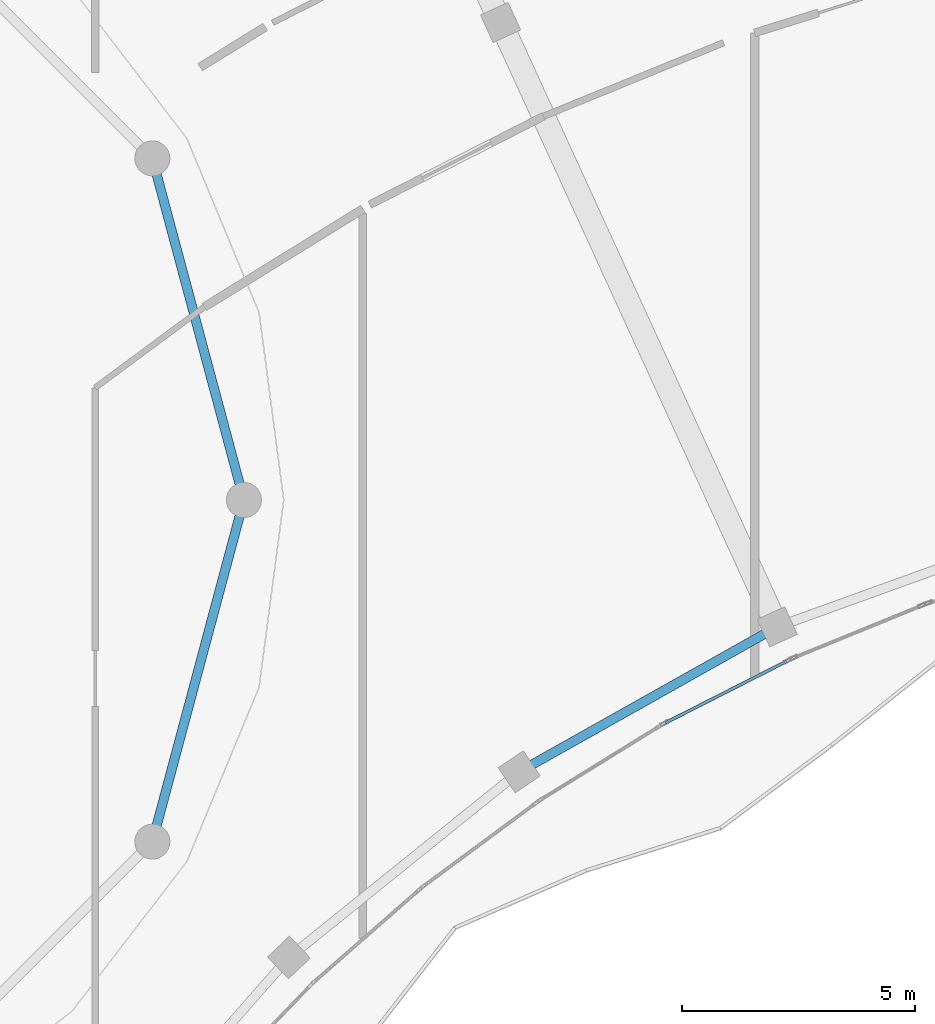
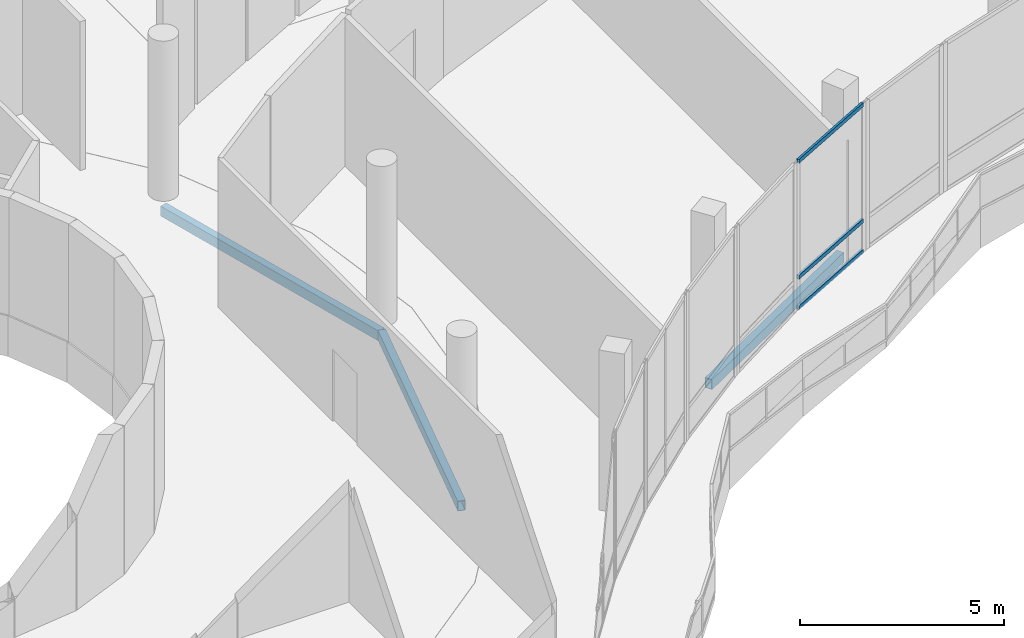
# One storey, part 53 of 155: 3 beams, 3 members, 1 element without a shape of its own.
"""IFC4 building model written with IfcOpenShell, lengths in metres."""

from ifc_helpers import new_model, si_unit, direction, frame, origin, origin_2d, place, context, subcontext, project, spatial, hollow_rectangle, extrude, material, material_profile, profile_set, type_object, element, aggregate, save


model = new_model("IFC4")

# Units and contexts
model_context = context("Model", 3, precision=1e-05, world=origin(), true_north=direction((0.0, 1.0)))
body_context = subcontext(model_context, "Body", "Model", "MODEL_VIEW")
ifc_project = project(units=[si_unit("LENGTHUNIT", "METRE"), si_unit("AREAUNIT", "SQUARE_METRE"), si_unit("VOLUMEUNIT", "CUBIC_METRE"), si_unit("PLANEANGLEUNIT", "RADIAN"), si_unit("MASSUNIT", "GRAM", prefix="KILO")], contexts=[model_context])

# Site, building, storey
site_placement = place(None, origin())
site = spatial("IfcSite", under=ifc_project, at=site_placement, CompositionType="ELEMENT")
building_placement = place(site_placement, origin())
building = spatial("IfcBuilding", under=site, at=building_placement, Name="Selatvlak General Hospital", CompositionType="ELEMENT")
storey_placement = place(building_placement, frame((0.0, 0.0, 10.199951171875)))
storey = spatial("IfcBuildingStorey", under=building, at=storey_placement, Name="L02", CompositionType="ELEMENT", Elevation=10.199951171875)

# Beams
ifc_material_1 = material(Name="Steel S355", Category="steel")
ifc_material_profile_1 = material_profile(ifc_material_1, hollow_rectangle(XDim=0.199951171875, YDim=0.300048828125, WallThickness=0.011962890625, at=origin_2d()), Name="RHS 300x200x12")
ifc_profile_set_1 = profile_set([ifc_material_profile_1], Name="Steel S355")
beam_type = type_object("IfcBeamType", Name="BM-SP3", PredefinedType="SPANDREL", material=ifc_profile_set_1)
for number, where, z_axis, x_axis, name in (
    (1, (110.68701171875, 46.675048828125, -0.5048828125), (0.25884068345, 0.965920028052, 0.0), (-0.965920028052, 0.25884068345, 0.0), "Beam BMR-L02-1098"),
    (2, (112.64990234375, 54.0, -0.5048828125), (-0.25884068345, 0.965920028052, 0.0), (-0.965920028052, -0.25884068345, 0.0), "Beam BMR-L02-1099"),
):
    element("IfcBeam", number, at=place(storey_placement, frame(where, z_axis=z_axis, x_axis=x_axis)), inside=storey, type_object=beam_type, Name=name, PredefinedType="SPANDREL", context=body_context, shape_type="SweptSolid", body=[
        extrude(hollow_rectangle(XDim=0.199951171875, YDim=0.300048828125, WallThickness=0.011962890625, at=origin_2d()), origin(), (0.0, 0.0, 1.0), 7.58349609375),
    ])
beam_placement = place(storey_placement, frame((118.552978515625, 48.172119140625, -0.5048828125), z_axis=(0.871730663488, 0.489985357266, 0.0), x_axis=(-0.489985357266, 0.871730663488, 0.0)))
element("IfcBeam", 3, at=beam_placement, inside=storey, type_object=beam_type, Name="Beam BMR-L02-1149", PredefinedType="SPANDREL", context=body_context, shape_type="SweptSolid", body=[
    extrude(hollow_rectangle(XDim=0.199951171875, YDim=0.300048828125, WallThickness=0.011962890625, at=origin_2d()), origin(), (0.0, 0.0, 1.0), 6.344970703125),
])

# Curtain wall, members
ifc_material_2 = material(Name="Solar-control Low-E double glazing", Category="glass")
curtain_wall_type = type_object("IfcCurtainWallType", Name="CW-CW-01", PredefinedType="USERDEFINED", material=ifc_material_2)
curtain_wall_placement = place(storey_placement, origin())
curtain_wall = element("IfcCurtainWall", 4, at=curtain_wall_placement, inside=storey, type_object=curtain_wall_type, Name="Glazed facade curtain wall CW-L02-0289", ObjectType="UNITISED CURTAIN WALL", PredefinedType="USERDEFINED")
ifc_material_3 = material(Name="Dark anodised aluminium mullion", Category="aluminium")
ifc_material_profile_2 = material_profile(ifc_material_3, hollow_rectangle(XDim=0.06494140625, YDim=0.1201171875, WallThickness=0.00390625, at=origin_2d()), Name="AL-TRN 65x120x4")
ifc_profile_set_2 = profile_set([ifc_material_profile_2], Name="Dark anodised aluminium mullion")
member_type = type_object("IfcMemberType", Name="CWT-01", PredefinedType="USERDEFINED", material=ifc_profile_set_2)
member_1_placement = place(storey_placement, frame((124.281982421875, 50.54052734375, 0.032470703125), z_axis=(-0.891431749589, -0.453154979918, 0.0), x_axis=(0.453154979918, -0.891431749589, 0.0)))
member_1 = element("IfcMember", 5, at=member_1_placement, type_object=member_type, Name="CW-01 transom 1.1", ObjectType="TRANSOM", PredefinedType="USERDEFINED", context=body_context, shape_type="SweptSolid", body=[
    extrude(hollow_rectangle(XDim=0.06494140625, YDim=0.1201171875, WallThickness=0.00390625, at=origin_2d()), origin(), (0.0, 0.0, 1.0), 2.904541015625),
])
member_2_placement = place(storey_placement, frame((124.281982421875, 50.54052734375, 0.949951171875), z_axis=(-0.891431749589, -0.453154979918, 0.0), x_axis=(0.453154979918, -0.891431749589, 0.0)))
member_2 = element("IfcMember", 6, at=member_2_placement, type_object=member_type, Name="CW-01 transom 1.2", ObjectType="TRANSOM", PredefinedType="USERDEFINED", context=body_context, shape_type="SweptSolid", body=[
    extrude(hollow_rectangle(XDim=0.06494140625, YDim=0.1201171875, WallThickness=0.00390625, at=origin_2d()), origin(), (0.0, 0.0, 1.0), 2.904541015625),
])
member_3_placement = place(storey_placement, frame((124.281982421875, 50.54052734375, 4.427490234375), z_axis=(-0.891431749589, -0.453154979918, 0.0), x_axis=(0.453154979918, -0.891431749589, 0.0)))
member_3 = element("IfcMember", 7, at=member_3_placement, type_object=member_type, Name="CW-01 transom 1.3", ObjectType="TRANSOM", PredefinedType="USERDEFINED", context=body_context, shape_type="SweptSolid", body=[
    extrude(hollow_rectangle(XDim=0.06494140625, YDim=0.1201171875, WallThickness=0.00390625, at=origin_2d()), origin(), (0.0, 0.0, 1.0), 2.904541015625),
])
aggregate(curtain_wall, [member_1, member_2, member_3])

save(model, "model.ifc")
